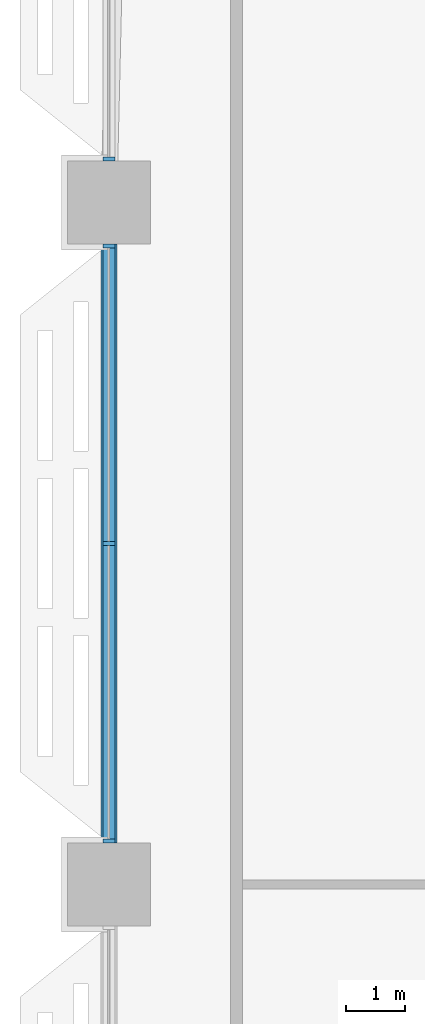
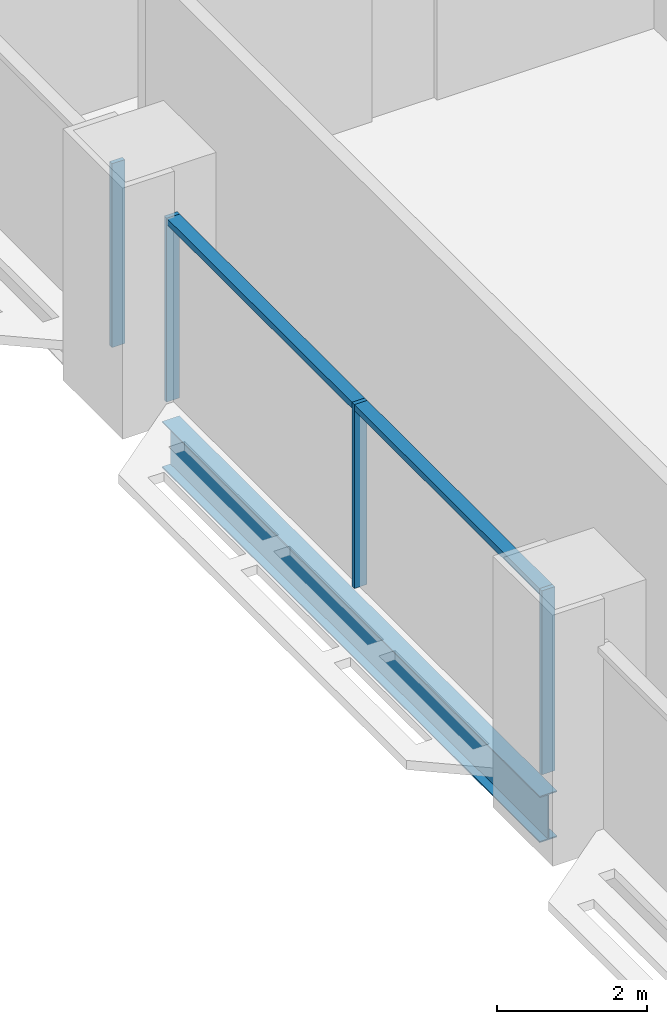
# One storey, part 4 of 29: 6 members, 1 beam, 2 elements without a shape of their own.
"""IFC4 building model written with IfcOpenShell, lengths in metres."""

from ifc_helpers import new_model, si_unit, direction, frame, origin, origin_2d, place, context, subcontext, project, spatial, rectangle, i_section, extrude, material, material_profile, profile_set, type_object, element, aggregate, save


model = new_model("IFC4")

# Units and contexts
model_context = context("Model", 3, precision=1e-05, world=origin(), true_north=direction((0.0, 1.0)))
body_context = subcontext(model_context, "Body", "Model", "MODEL_VIEW")
ifc_project = project(units=[si_unit("LENGTHUNIT", "METRE"), si_unit("AREAUNIT", "SQUARE_METRE"), si_unit("VOLUMEUNIT", "CUBIC_METRE"), si_unit("PLANEANGLEUNIT", "RADIAN"), si_unit("MASSUNIT", "GRAM", prefix="KILO")], contexts=[model_context])

# Site, building, storey
site_placement = place(None, origin())
site = spatial("IfcSite", under=ifc_project, at=site_placement, CompositionType="ELEMENT")
building_placement = place(site_placement, origin())
building = spatial("IfcBuilding", under=site, at=building_placement, Name="Mahtab Terrace Research Tower", CompositionType="ELEMENT")
storey_placement = place(building_placement, frame((0.0, 0.0, 93.0)))
storey = spatial("IfcBuildingStorey", under=building, at=storey_placement, Name="L21", CompositionType="ELEMENT", Elevation=93.0)

# Curtain wall, member
ifc_material_1 = material(Name="Laboratory ribbon curtain wall")
curtain_wall_type = type_object("IfcCurtainWallType", Name="Laboratory ribbon curtain wall", PredefinedType="NOTDEFINED", material=ifc_material_1)
curtain_wall_1_placement = place(storey_placement, origin())
curtain_wall_1 = element("IfcCurtainWall", 1, at=curtain_wall_1_placement, inside=storey, type_object=curtain_wall_type, Name="EN.L21.8.16", PredefinedType="NOTDEFINED")
ifc_material_2 = material(Name="Natural anodised aluminium", Category="aluminium")
ifc_material_profile_1 = material_profile(ifc_material_2, rectangle(XDim=0.199951171875, YDim=0.06494140625, at=origin_2d()), Name="MULLION 65x200")
ifc_profile_set_1 = profile_set([ifc_material_profile_1], Name="Natural anodised aluminium")
member_type_1 = type_object("IfcMemberType", Name="Laboratory ribbon curtain wall mullion", PredefinedType="MULLION", material=ifc_profile_set_1)
member_1_placement = place(storey_placement, frame((-42.0, 12.232421875, 0.0), z_axis=(0.0, 0.0, 1.0), x_axis=(1.0, 0.0, 0.0)))
member_1 = element("IfcMember", 2, at=member_1_placement, type_object=member_type_1, Name="CWL-3 mullion 3", PredefinedType="MULLION", context=body_context, shape_type="SweptSolid", body=[
    extrude(rectangle(XDim=0.199951171875, YDim=0.06494140625, at=origin_2d()), origin(), (0.0, 0.0, 1.0), 3.003173828125),
])
aggregate(curtain_wall_1, [member_1])

# Curtain wall, members
curtain_wall_2_placement = place(storey_placement, origin())
curtain_wall_2 = element("IfcCurtainWall", 3, at=curtain_wall_2_placement, inside=storey, type_object=curtain_wall_type, Name="EN.L21.8.17", PredefinedType="NOTDEFINED")
member_2_placement = place(storey_placement, frame((-42.0, 10.767578125, 0.0), z_axis=(0.0, 0.0, 1.0), x_axis=(1.0, 0.0, 0.0)))
member_2 = element("IfcMember", 4, at=member_2_placement, type_object=member_type_1, Name="CWL-3 mullion 1", PredefinedType="MULLION", context=body_context, shape_type="SweptSolid", body=[
    extrude(rectangle(XDim=0.199951171875, YDim=0.06494140625, at=origin_2d()), origin(), (0.0, 0.0, 1.0), 3.003173828125),
])
member_3_placement = place(storey_placement, frame((-42.0, 5.75, 0.0), z_axis=(0.0, 0.0, 1.0), x_axis=(1.0, 0.0, 0.0)))
member_3 = element("IfcMember", 5, at=member_3_placement, type_object=member_type_1, Name="CWL-3 mullion 2", PredefinedType="MULLION", context=body_context, shape_type="SweptSolid", body=[
    extrude(rectangle(XDim=0.199951171875, YDim=0.06494140625, at=origin_2d()), origin(), (0.0, 0.0, 1.0), 3.003173828125),
])
member_4_placement = place(storey_placement, frame((-42.0, 0.732421875, 0.0), z_axis=(0.0, 0.0, 1.0), x_axis=(1.0, 0.0, 0.0)))
member_4 = element("IfcMember", 6, at=member_4_placement, type_object=member_type_1, Name="CWL-3 mullion 3", PredefinedType="MULLION", context=body_context, shape_type="SweptSolid", body=[
    extrude(rectangle(XDim=0.199951171875, YDim=0.06494140625, at=origin_2d()), origin(), (0.0, 0.0, 1.0), 3.003173828125),
])
ifc_material_profile_2 = material_profile(ifc_material_2, rectangle(XDim=0.199951171875, YDim=0.10009765625, at=origin_2d()), Name="TRANSOM 100x200")
ifc_profile_set_2 = profile_set([ifc_material_profile_2], Name="Natural anodised aluminium")
member_type_2 = type_object("IfcMemberType", Name="Laboratory ribbon curtain wall transom", PredefinedType="USERDEFINED", material=ifc_profile_set_2)
member_5_placement = place(storey_placement, frame((-42.0, 10.735107421875, 2.953125), z_axis=(0.0, -1.0, 0.0), x_axis=(1.0, 0.0, 0.0)))
member_5 = element("IfcMember", 7, at=member_5_placement, type_object=member_type_2, Name="CWL-3 transom 1", ObjectType="TRANSOM", PredefinedType="USERDEFINED", context=body_context, shape_type="SweptSolid", body=[
    extrude(rectangle(XDim=0.199951171875, YDim=0.10009765625, at=origin_2d()), origin(), (0.0, 0.0, 1.0), 4.95263671875),
])
member_6_placement = place(storey_placement, frame((-42.0, 5.717529296875, 2.953125), z_axis=(0.0, -1.0, 0.0), x_axis=(1.0, 0.0, 0.0)))
member_6 = element("IfcMember", 8, at=member_6_placement, type_object=member_type_2, Name="CWL-3 transom 2", ObjectType="TRANSOM", PredefinedType="USERDEFINED", context=body_context, shape_type="SweptSolid", body=[
    extrude(rectangle(XDim=0.199951171875, YDim=0.10009765625, at=origin_2d()), origin(), (0.0, 0.0, 1.0), 4.95263671875),
])
aggregate(curtain_wall_2, [member_2, member_3, member_4, member_5, member_6])

# Beam
ifc_material_3 = material(Name="Steel ASTM A992 Gr 50", Category="steel")
ifc_material_profile_3 = material_profile(ifc_material_3, i_section(OverallWidth=0.2666015625, OverallDepth=0.7568359375, WebThickness=0.013916015625, FlangeThickness=0.019287109375, at=origin_2d()), Name="W30X108")
ifc_profile_set_3 = profile_set([ifc_material_profile_3], Name="Steel ASTM A992 Gr 50")
beam_type = type_object("IfcBeamType", Name="W30x108 beam BS30108", PredefinedType="BEAM", material=ifc_profile_set_3)
beam_placement = place(storey_placement, frame((-42.0, 10.800048828125, -0.718505859375), z_axis=(0.0, -1.0, 0.0), x_axis=(1.0, 0.0, 0.0)))
element("IfcBeam", 9, at=beam_placement, inside=storey, type_object=beam_type, Name="Spandrel beam L21 10", PredefinedType="BEAM", context=body_context, shape_type="SweptSolid", body=[
    extrude(i_section(OverallWidth=0.2666015625, OverallDepth=0.7568359375, WebThickness=0.013916015625, FlangeThickness=0.019287109375, at=origin_2d()), origin(), (0.0, 0.0, 1.0), 10.10009765625),
])

save(model, "model.ifc")
